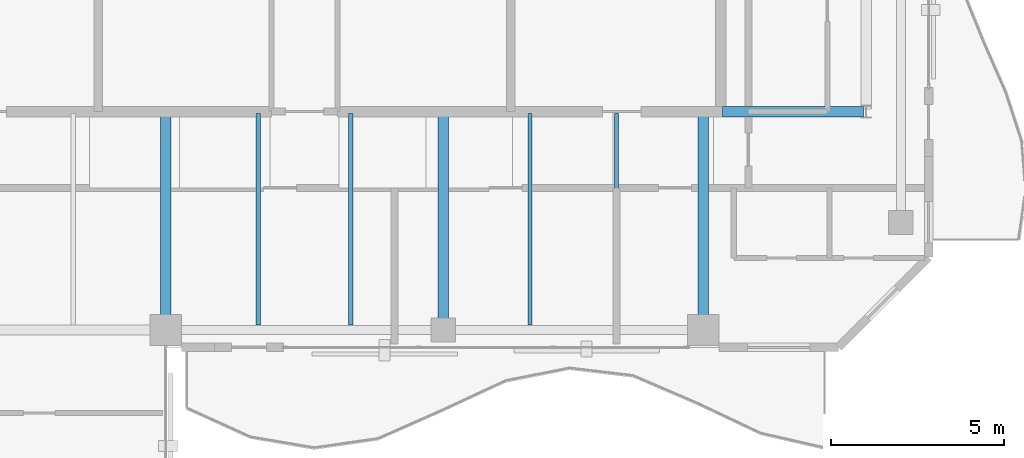
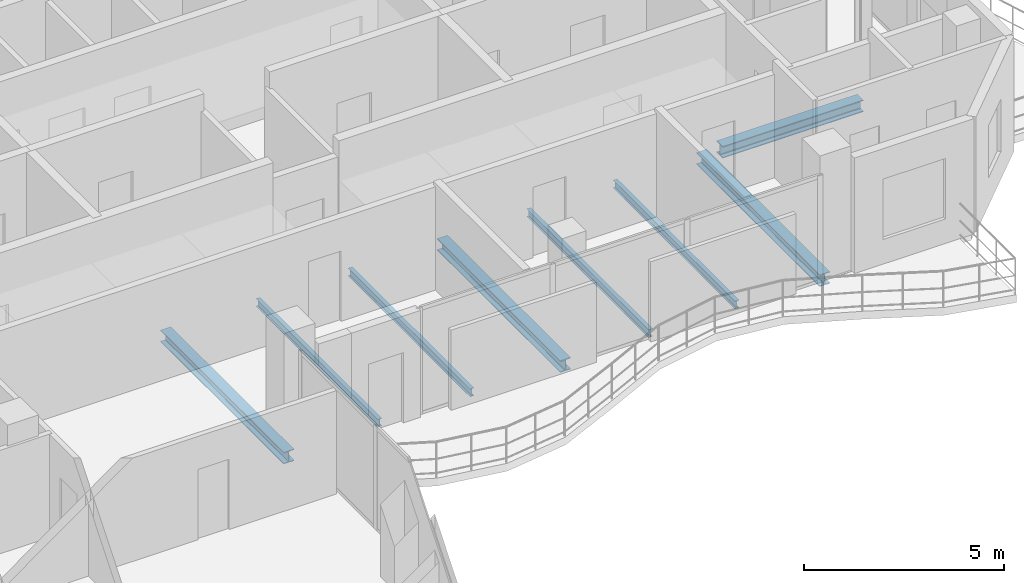
# One storey, part 9 of 16: 8 beams.
"""IFC4 building model written with IfcOpenShell, lengths in metres."""

import ifcopenshell
import ifcopenshell.guid

model = None  # the IFC model being written
_history = None  # IfcOwnerHistory: only IFC2X3 demands one
_inside = {}  # id of a spatial element -> (the spatial element, [elements in it])
_under = {}  # id of a project, library or spatial element -> (it, [spatial elements below it])
_declared = {}  # id of a project -> (the project, [libraries it declares])
_typed = {}  # id of a type object -> (the type object, [elements of that type])
_made_of = {}  # id of a material, layer set ... -> (it, [elements and type objects made of it])


def new_model(schema):
    """Start an empty IFC model of exactly this schema.

    Asked for "IFC4X3", IfcOpenShell would pick the latest addendum, in which some entities
    have other attributes; the version numbers below select the first issue.
    IFC2X3 requires an IfcOwnerHistory on every rooted entity: one is made here for all.
    """
    global model, _history
    if schema == "IFC4X3":
        model = ifcopenshell.file(schema_version=(4, 3, 0, 0))
    else:
        model = ifcopenshell.file(schema=schema)
    _inside.clear()
    _under.clear()
    _declared.clear()
    _typed.clear()
    _made_of.clear()
    _history = None
    if model.schema == "IFC2X3":
        org = make("IfcOrganization", Name="unknown")
        user = make(
            "IfcPersonAndOrganization",
            ThePerson=make("IfcPerson", FamilyName="unknown"),
            TheOrganization=org,
        )
        app = make(
            "IfcApplication",
            ApplicationDeveloper=org,
            Version="unknown",
            ApplicationFullName="unknown",
            ApplicationIdentifier="unknown",
        )
        _history = make(
            "IfcOwnerHistory",
            OwningUser=user,
            OwningApplication=app,
            ChangeAction="ADDED",
            CreationDate=0,
        )
    return model


def make(cls, **values):
    """One entity of the class cls with the attributes given. An attribute that is None is left unset."""
    return model.create_entity(
        cls, **{name: value for name, value in values.items() if value is not None}
    )


def rooted(cls, **values):
    """An entity with a GlobalId (a new one), such as an element, a storey or a relation."""
    return make(cls, GlobalId=ifcopenshell.guid.new(), OwnerHistory=_history, **values)


def si_unit(unit_type, name, prefix=None):
    """IfcSIUnit, for example si_unit("LENGTHUNIT", "METRE", prefix="MILLI")."""
    return make("IfcSIUnit", UnitType=unit_type, Prefix=prefix, Name=name)


def assignment(units):
    """IfcUnitAssignment: the units of a project."""
    return None if units is None else make("IfcUnitAssignment", Units=units)


def point(xyz):
    """IfcCartesianPoint."""
    return None if xyz is None else make("IfcCartesianPoint", Coordinates=xyz)


def direction(xyz):
    """IfcDirection."""
    return None if xyz is None else make("IfcDirection", DirectionRatios=xyz)


def frame(location, z_axis=None, x_axis=None):
    """IfcAxis2Placement3D, a coordinate frame: its origin and axes. An axis left out is left unset."""
    return make(
        "IfcAxis2Placement3D",
        Location=point(location),
        Axis=direction(z_axis),
        RefDirection=direction(x_axis),
    )


def frame_2d(location, x_axis=None):
    """IfcAxis2Placement2D, a coordinate frame in the plane: its origin and x axis."""
    return make(
        "IfcAxis2Placement2D", Location=point(location), RefDirection=direction(x_axis)
    )


def origin():
    """The frame at (0, 0, 0) with its axes left unset."""
    return frame((0.0, 0.0, 0.0))


def origin_2d():
    """The frame at (0, 0) in the plane with its x axis left unset."""
    return frame_2d((0.0, 0.0))


def place(relative_to, where):
    """IfcLocalPlacement: puts the frame where relative to a parent placement (None: the world)."""
    return make(
        "IfcLocalPlacement", PlacementRelTo=relative_to, RelativePlacement=where
    )


def context(
    kind, dimensions, precision=None, world=None, true_north=None, identifier=None
):
    """IfcGeometricRepresentationContext, for example the 3D "Model" context."""
    return make(
        "IfcGeometricRepresentationContext",
        ContextIdentifier=identifier,
        ContextType=kind,
        CoordinateSpaceDimension=dimensions,
        Precision=precision,
        WorldCoordinateSystem=world,
        TrueNorth=true_north,
    )


def subcontext(parent, identifier, kind, view, scale=None):
    """IfcGeometricRepresentationSubContext, for example "Body" below "Model"."""
    return make(
        "IfcGeometricRepresentationSubContext",
        ContextIdentifier=identifier,
        ContextType=kind,
        ParentContext=parent,
        TargetScale=scale,
        TargetView=view,
    )


def project(units=None, contexts=None):
    """IfcProject with its units and contexts."""
    return rooted(
        "IfcProject",
        Name="project",
        RepresentationContexts=contexts,
        UnitsInContext=assignment(units),
    )


def spatial(cls, under=None, at=None, **own):
    """A site, building, storey or space (cls), placed at a placement, below another one or the project."""
    s = rooted(cls, ObjectPlacement=at, **own)
    if under is not None:
        _under.setdefault(under.id(), (under, []))[1].append(s)
    return s


def profile(cls, at=None, kind="AREA", **sizes):
    """A parametric profile (cls). Its sizes go by their IFC names, for example OverallWidth=200.0."""
    return make(cls, ProfileType=kind, Position=at, **sizes)


def i_section(**sizes):
    """IfcIShapeProfileDef."""
    return profile("IfcIShapeProfileDef", **sizes)


def extrude(swept, where, along, depth):
    """IfcExtrudedAreaSolid: the profile swept, set in the frame where, extruded along a direction by depth."""
    return make(
        "IfcExtrudedAreaSolid",
        SweptArea=swept,
        Position=where,
        ExtrudedDirection=direction(along),
        Depth=depth,
    )


def shape(context_of_items, identifier, shape_type, items):
    """IfcShapeRepresentation: the items that make up one representation, for example the "Body"."""
    return make(
        "IfcShapeRepresentation",
        ContextOfItems=context_of_items,
        RepresentationIdentifier=identifier,
        RepresentationType=shape_type,
        Items=items,
    )


def material(Name=None, Category=None):
    """IfcMaterial."""
    return make("IfcMaterial", Name=Name, Category=Category)


def material_profile(
    of_material, cross_section, Name=None, Category=None, Priority=None
):
    """IfcMaterialProfile: a cross section and its material."""
    return make(
        "IfcMaterialProfile",
        Name=Name,
        Material=of_material,
        Profile=cross_section,
        Priority=Priority,
        Category=Category,
    )


def profile_set(profiles, Name=None, composite=None):
    """IfcMaterialProfileSet."""
    return make(
        "IfcMaterialProfileSet",
        Name=Name,
        MaterialProfiles=profiles,
        CompositeProfile=composite,
    )


def made_of(thing, what):
    """Note that an element or type object is made of a material, layer set ...; save() writes the relation."""
    if what is not None:
        _made_of.setdefault(what.id(), (what, []))[1].append(thing)
    return thing


def type_object(cls, material=None, **own):
    """A type object (cls), such as IfcWallType, which elements share."""
    return made_of(rooted(cls, **own), material)


def element(
    cls,
    number,
    at=None,
    inside=None,
    cuts=None,
    type_object=None,
    material=None,
    context=None,
    identifier="Body",
    shape_type=None,
    held_by="IfcProductDefinitionShape",
    body=None,
    shapes=None,
    **own,
):
    """One element of the class cls, such as IfcWall. Its Tag is "e" and its number.

    at: its placement. inside: the storey or other place that contains it. cuts: it is an
    opening in that element (IfcRelVoidsElement). A single representation is given by context,
    identifier, shape_type and body (its items); several are given by shapes. held_by: the class
    of the entity that holds the representations. save() writes the other relations.
    """
    e = rooted(cls, Tag="e%d" % number, ObjectPlacement=at, **own)
    if body is not None:
        shapes = [shape(context, identifier, shape_type, body)]
    if shapes is not None:
        e.Representation = make(held_by, Representations=shapes)
    if inside is not None:
        _inside.setdefault(inside.id(), (inside, []))[1].append(e)
    if cuts is not None:
        rooted(
            "IfcRelVoidsElement", RelatingBuildingElement=cuts, RelatedOpeningElement=e
        )
    if type_object is not None:
        _typed.setdefault(type_object.id(), (type_object, []))[1].append(e)
    return made_of(e, material)


def aggregate(whole, parts):
    """IfcRelAggregates: a whole, such as a stair, and the parts it consists of."""
    return rooted("IfcRelAggregates", RelatingObject=whole, RelatedObjects=parts)


def save(model, path):
    """Write the relations noted so far, then the file.

    IfcRelAggregates (storeys below a building ...), IfcRelContainedInSpatialStructure (elements
    in a storey), IfcRelDefinesByType, IfcRelAssociatesMaterial and IfcRelDeclares: one each for
    every whole, place, type object, material and project.
    """
    for whole, parts in _under.values():
        aggregate(whole, parts)
    for where, things in _inside.values():
        rooted(
            "IfcRelContainedInSpatialStructure",
            RelatedElements=things,
            RelatingStructure=where,
        )
    for kind, things in _typed.values():
        rooted("IfcRelDefinesByType", RelatedObjects=things, RelatingType=kind)
    for what, things in _made_of.values():
        rooted("IfcRelAssociatesMaterial", RelatedObjects=things, RelatingMaterial=what)
    for by, libraries in _declared.values():
        rooted("IfcRelDeclares", RelatingContext=by, RelatedDefinitions=libraries)
    model.write(path)


model = new_model("IFC4")

# Units and contexts
model_context = context("Model", 3, precision=1e-05, world=origin(), true_north=direction((0.0, 1.0)))
body_context = subcontext(model_context, "Body", "Model", "MODEL_VIEW")
ifc_project = project(units=[si_unit("LENGTHUNIT", "METRE"), si_unit("AREAUNIT", "SQUARE_METRE"), si_unit("VOLUMEUNIT", "CUBIC_METRE"), si_unit("PLANEANGLEUNIT", "RADIAN"), si_unit("MASSUNIT", "GRAM", prefix="KILO")], contexts=[model_context])

# Site, building, storey
site_placement = place(None, origin())
site = spatial("IfcSite", under=ifc_project, at=site_placement, CompositionType="ELEMENT")
building_placement = place(site_placement, origin())
building = spatial("IfcBuilding", under=site, at=building_placement, Name="Catumbela Crestline Tower", CompositionType="ELEMENT")
storey_placement = place(building_placement, frame((0.0, 0.0, 275.4)))
storey = spatial("IfcBuildingStorey", under=building, at=storey_placement, Name="L71", CompositionType="ELEMENT", Elevation=275.4)

# Beams
ifc_material = material(Name="Structural steel S355J2", Category="steel")
ifc_material_profile_1 = material_profile(ifc_material, i_section(OverallWidth=0.3, OverallDepth=0.36, WebThickness=0.0125, FlangeThickness=0.0225, FilletRadius=0.027, at=origin_2d()), Name="HEB 360")
ifc_profile_set_1 = profile_set([ifc_material_profile_1], Name="Structural steel S355J2")
beam_type_1 = type_object("IfcBeamType", Name="BG-HEB360", PredefinedType="BEAM", material=ifc_profile_set_1)
beam_placement = place(storey_placement, frame((40.05, 30.8, -0.44), z_axis=(1.0, 0.0, 0.0), x_axis=(0.0, 1.0, 0.0)))
element("IfcBeam", 1, at=beam_placement, inside=storey, type_object=beam_type_1, Name="L71 Beam BM-L71-M04", PredefinedType="BEAM", context=body_context, shape_type="SweptSolid", body=[
    extrude(i_section(OverallWidth=0.3, OverallDepth=0.36, WebThickness=0.0125, FlangeThickness=0.0225, FilletRadius=0.027, at=origin_2d()), origin(), (0.0, 0.0, 1.0), 4.07),
])
for number, where, z_axis, x_axis, name in (
    (2, (24.0, 24.58, -0.44), (0.0, 1.0, 0.0), (-1.0, 0.0, 0.0), "L71 Beam BM-L71-SNS07"),
    (3, (32.0, 24.58, -0.44), (0.0, 1.0, 0.0), (-1.0, 0.0, 0.0), "L71 Beam BM-L71-SNS08"),
    (4, (39.5, 24.58, -0.44), (0.0, 1.0, 0.0), (-1.0, 0.0, 0.0), "L71 Beam BM-L71-SNS09"),
):
    element("IfcBeam", number, at=place(storey_placement, frame(where, z_axis=z_axis, x_axis=x_axis)), inside=storey, type_object=beam_type_1, Name=name, PredefinedType="BEAM", context=body_context, shape_type="SweptSolid", body=[
        extrude(i_section(OverallWidth=0.3, OverallDepth=0.36, WebThickness=0.0125, FlangeThickness=0.0225, FilletRadius=0.027, at=origin_2d()), origin(), (0.0, 0.0, 1.0), 6.17),
    ])
ifc_material_profile_2 = material_profile(ifc_material, i_section(OverallWidth=0.12, OverallDepth=0.24, WebThickness=0.0062, FlangeThickness=0.0098, FilletRadius=0.015, at=origin_2d()), Name="IPE 240")
ifc_profile_set_2 = profile_set([ifc_material_profile_2], Name="Structural steel S355J2")
beam_type_2 = type_object("IfcBeamType", Name="BJ-IPE240", PredefinedType="JOIST", material=ifc_profile_set_2)
for number, where, z_axis, x_axis, name in (
    (5, (26.667, 24.647, -0.38), (0.0, 1.0, 0.0), (-1.0, 0.0, 0.0), "L71 Joist JS-L71-SP14"),
    (6, (29.333, 24.647, -0.38), (0.0, 1.0, 0.0), (-1.0, 0.0, 0.0), "L71 Joist JS-L71-SP15"),
    (7, (34.5, 24.647, -0.38), (0.0, 1.0, 0.0), (-1.0, 0.0, 0.0), "L71 Joist JS-L71-SP16"),
    (8, (37.0, 24.647, -0.38), (0.0, 1.0, 0.0), (-1.0, 0.0, 0.0), "L71 Joist JS-L71-SP17"),
):
    element("IfcBeam", number, at=place(storey_placement, frame(where, z_axis=z_axis, x_axis=x_axis)), inside=storey, type_object=beam_type_2, Name=name, PredefinedType="JOIST", context=body_context, shape_type="SweptSolid", body=[
        extrude(i_section(OverallWidth=0.12, OverallDepth=0.24, WebThickness=0.0062, FlangeThickness=0.0098, FilletRadius=0.015, at=origin_2d()), origin(), (0.0, 0.0, 1.0), 6.103),
    ])

save(model, "model.ifc")
